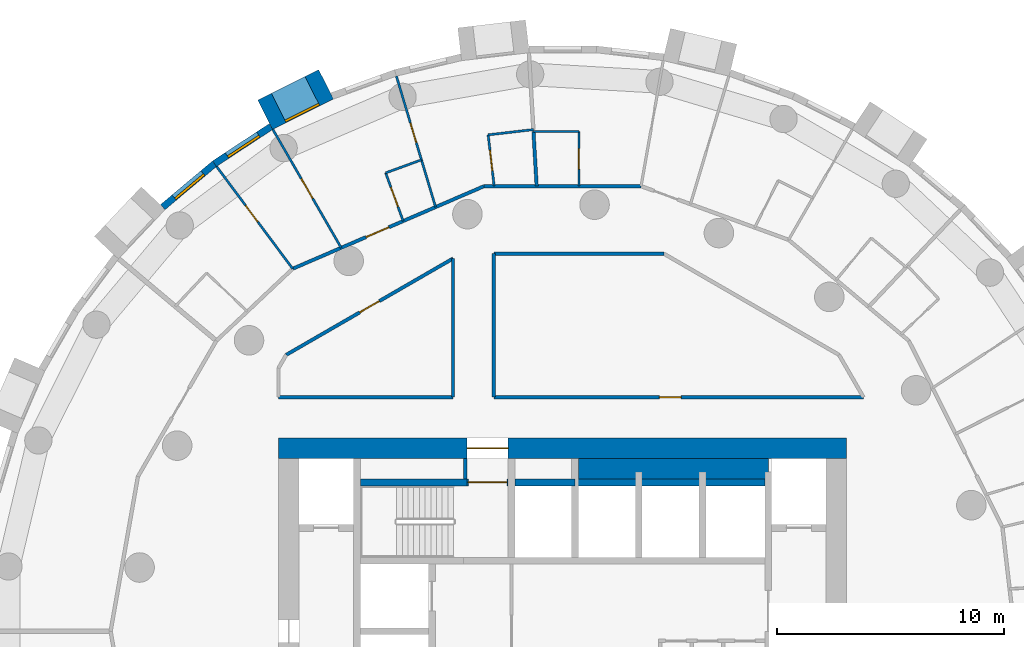
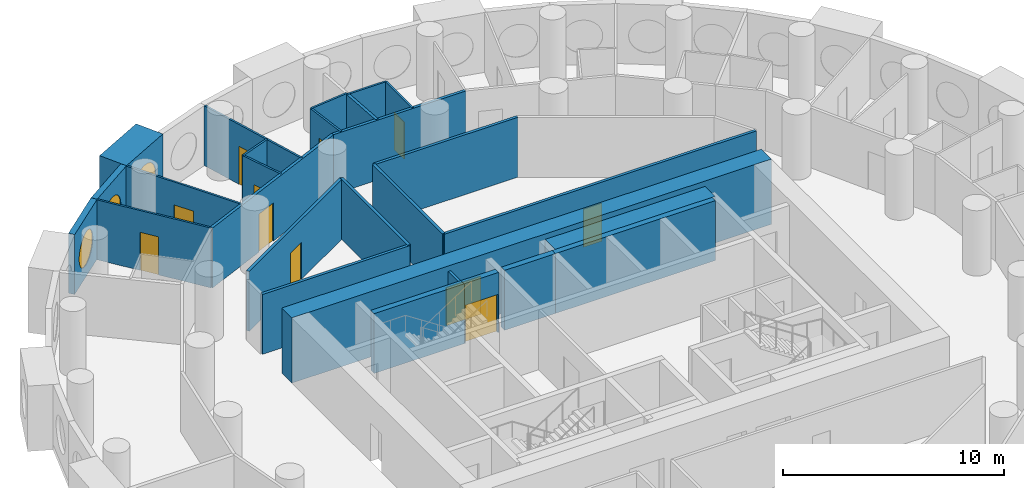
# One storey, part 6 of 10: 29 walls, 11 doors, 3 windows, 14 openings.
"""IFC4 building model written with IfcOpenShell, lengths in metres."""

import ifcopenshell
import ifcopenshell.guid

model = None  # the IFC model being written
_history = None  # IfcOwnerHistory: only IFC2X3 demands one
_inside = {}  # id of a spatial element -> (the spatial element, [elements in it])
_under = {}  # id of a project, library or spatial element -> (it, [spatial elements below it])
_declared = {}  # id of a project -> (the project, [libraries it declares])
_typed = {}  # id of a type object -> (the type object, [elements of that type])
_made_of = {}  # id of a material, layer set ... -> (it, [elements and type objects made of it])


def new_model(schema):
    """Start an empty IFC model of exactly this schema.

    Asked for "IFC4X3", IfcOpenShell would pick the latest addendum, in which some entities
    have other attributes; the version numbers below select the first issue.
    IFC2X3 requires an IfcOwnerHistory on every rooted entity: one is made here for all.
    """
    global model, _history
    if schema == "IFC4X3":
        model = ifcopenshell.file(schema_version=(4, 3, 0, 0))
    else:
        model = ifcopenshell.file(schema=schema)
    _inside.clear()
    _under.clear()
    _declared.clear()
    _typed.clear()
    _made_of.clear()
    _history = None
    if model.schema == "IFC2X3":
        org = make("IfcOrganization", Name="unknown")
        user = make(
            "IfcPersonAndOrganization",
            ThePerson=make("IfcPerson", FamilyName="unknown"),
            TheOrganization=org,
        )
        app = make(
            "IfcApplication",
            ApplicationDeveloper=org,
            Version="unknown",
            ApplicationFullName="unknown",
            ApplicationIdentifier="unknown",
        )
        _history = make(
            "IfcOwnerHistory",
            OwningUser=user,
            OwningApplication=app,
            ChangeAction="ADDED",
            CreationDate=0,
        )
    return model


def make(cls, **values):
    """One entity of the class cls with the attributes given. An attribute that is None is left unset."""
    return model.create_entity(
        cls, **{name: value for name, value in values.items() if value is not None}
    )


def rooted(cls, **values):
    """An entity with a GlobalId (a new one), such as an element, a storey or a relation."""
    return make(cls, GlobalId=ifcopenshell.guid.new(), OwnerHistory=_history, **values)


def si_unit(unit_type, name, prefix=None):
    """IfcSIUnit, for example si_unit("LENGTHUNIT", "METRE", prefix="MILLI")."""
    return make("IfcSIUnit", UnitType=unit_type, Prefix=prefix, Name=name)


def assignment(units):
    """IfcUnitAssignment: the units of a project."""
    return None if units is None else make("IfcUnitAssignment", Units=units)


def point(xyz):
    """IfcCartesianPoint."""
    return None if xyz is None else make("IfcCartesianPoint", Coordinates=xyz)


def direction(xyz):
    """IfcDirection."""
    return None if xyz is None else make("IfcDirection", DirectionRatios=xyz)


def frame(location, z_axis=None, x_axis=None):
    """IfcAxis2Placement3D, a coordinate frame: its origin and axes. An axis left out is left unset."""
    return make(
        "IfcAxis2Placement3D",
        Location=point(location),
        Axis=direction(z_axis),
        RefDirection=direction(x_axis),
    )


def frame_2d(location, x_axis=None):
    """IfcAxis2Placement2D, a coordinate frame in the plane: its origin and x axis."""
    return make(
        "IfcAxis2Placement2D", Location=point(location), RefDirection=direction(x_axis)
    )


def origin():
    """The frame at (0, 0, 0) with its axes left unset."""
    return frame((0.0, 0.0, 0.0))


def origin_2d():
    """The frame at (0, 0) in the plane with its x axis left unset."""
    return frame_2d((0.0, 0.0))


def place(relative_to, where):
    """IfcLocalPlacement: puts the frame where relative to a parent placement (None: the world)."""
    return make(
        "IfcLocalPlacement", PlacementRelTo=relative_to, RelativePlacement=where
    )


def context(
    kind, dimensions, precision=None, world=None, true_north=None, identifier=None
):
    """IfcGeometricRepresentationContext, for example the 3D "Model" context."""
    return make(
        "IfcGeometricRepresentationContext",
        ContextIdentifier=identifier,
        ContextType=kind,
        CoordinateSpaceDimension=dimensions,
        Precision=precision,
        WorldCoordinateSystem=world,
        TrueNorth=true_north,
    )


def subcontext(parent, identifier, kind, view, scale=None):
    """IfcGeometricRepresentationSubContext, for example "Body" below "Model"."""
    return make(
        "IfcGeometricRepresentationSubContext",
        ContextIdentifier=identifier,
        ContextType=kind,
        ParentContext=parent,
        TargetScale=scale,
        TargetView=view,
    )


def project(units=None, contexts=None):
    """IfcProject with its units and contexts."""
    return rooted(
        "IfcProject",
        Name="project",
        RepresentationContexts=contexts,
        UnitsInContext=assignment(units),
    )


def spatial(cls, under=None, at=None, **own):
    """A site, building, storey or space (cls), placed at a placement, below another one or the project."""
    s = rooted(cls, ObjectPlacement=at, **own)
    if under is not None:
        _under.setdefault(under.id(), (under, []))[1].append(s)
    return s


def profile(cls, at=None, kind="AREA", **sizes):
    """A parametric profile (cls). Its sizes go by their IFC names, for example OverallWidth=200.0."""
    return make(cls, ProfileType=kind, Position=at, **sizes)


def rectangle(**sizes):
    """IfcRectangleProfileDef."""
    return profile("IfcRectangleProfileDef", **sizes)


def circle(**sizes):
    """IfcCircleProfileDef."""
    return profile("IfcCircleProfileDef", **sizes)


def extrude(swept, where, along, depth):
    """IfcExtrudedAreaSolid: the profile swept, set in the frame where, extruded along a direction by depth."""
    return make(
        "IfcExtrudedAreaSolid",
        SweptArea=swept,
        Position=where,
        ExtrudedDirection=direction(along),
        Depth=depth,
    )


def shape(context_of_items, identifier, shape_type, items):
    """IfcShapeRepresentation: the items that make up one representation, for example the "Body"."""
    return make(
        "IfcShapeRepresentation",
        ContextOfItems=context_of_items,
        RepresentationIdentifier=identifier,
        RepresentationType=shape_type,
        Items=items,
    )


def material(Name=None, Category=None):
    """IfcMaterial."""
    return make("IfcMaterial", Name=Name, Category=Category)


def layer(
    of_material, thickness, ventilated=None, Name=None, Category=None, Priority=None
):
    """IfcMaterialLayer: one layer of a wall or slab, of a material (None: an air gap)."""
    return make(
        "IfcMaterialLayer",
        Material=of_material,
        LayerThickness=thickness,
        IsVentilated=ventilated,
        Name=Name,
        Category=Category,
        Priority=Priority,
    )


def layer_set(layers, Name=None):
    """IfcMaterialLayerSet."""
    return make("IfcMaterialLayerSet", MaterialLayers=layers, LayerSetName=Name)


def made_of(thing, what):
    """Note that an element or type object is made of a material, layer set ...; save() writes the relation."""
    if what is not None:
        _made_of.setdefault(what.id(), (what, []))[1].append(thing)
    return thing


def type_object(cls, material=None, **own):
    """A type object (cls), such as IfcWallType, which elements share."""
    return made_of(rooted(cls, **own), material)


def element(
    cls,
    number,
    at=None,
    inside=None,
    cuts=None,
    type_object=None,
    material=None,
    context=None,
    identifier="Body",
    shape_type=None,
    held_by="IfcProductDefinitionShape",
    body=None,
    shapes=None,
    **own,
):
    """One element of the class cls, such as IfcWall. Its Tag is "e" and its number.

    at: its placement. inside: the storey or other place that contains it. cuts: it is an
    opening in that element (IfcRelVoidsElement). A single representation is given by context,
    identifier, shape_type and body (its items); several are given by shapes. held_by: the class
    of the entity that holds the representations. save() writes the other relations.
    """
    e = rooted(cls, Tag="e%d" % number, ObjectPlacement=at, **own)
    if body is not None:
        shapes = [shape(context, identifier, shape_type, body)]
    if shapes is not None:
        e.Representation = make(held_by, Representations=shapes)
    if inside is not None:
        _inside.setdefault(inside.id(), (inside, []))[1].append(e)
    if cuts is not None:
        rooted(
            "IfcRelVoidsElement", RelatingBuildingElement=cuts, RelatedOpeningElement=e
        )
    if type_object is not None:
        _typed.setdefault(type_object.id(), (type_object, []))[1].append(e)
    return made_of(e, material)


def fill(opening, filler):
    """IfcRelFillsElement: the door or window that sits in an opening."""
    return rooted(
        "IfcRelFillsElement",
        RelatingOpeningElement=opening,
        RelatedBuildingElement=filler,
    )


def aggregate(whole, parts):
    """IfcRelAggregates: a whole, such as a stair, and the parts it consists of."""
    return rooted("IfcRelAggregates", RelatingObject=whole, RelatedObjects=parts)


def save(model, path):
    """Write the relations noted so far, then the file.

    IfcRelAggregates (storeys below a building ...), IfcRelContainedInSpatialStructure (elements
    in a storey), IfcRelDefinesByType, IfcRelAssociatesMaterial and IfcRelDeclares: one each for
    every whole, place, type object, material and project.
    """
    for whole, parts in _under.values():
        aggregate(whole, parts)
    for where, things in _inside.values():
        rooted(
            "IfcRelContainedInSpatialStructure",
            RelatedElements=things,
            RelatingStructure=where,
        )
    for kind, things in _typed.values():
        rooted("IfcRelDefinesByType", RelatedObjects=things, RelatingType=kind)
    for what, things in _made_of.values():
        rooted("IfcRelAssociatesMaterial", RelatedObjects=things, RelatingMaterial=what)
    for by, libraries in _declared.values():
        rooted("IfcRelDeclares", RelatingContext=by, RelatedDefinitions=libraries)
    model.write(path)


model = new_model("IFC4")

# Units and contexts
model_context = context("Model", 3, precision=1e-05, world=origin(), true_north=direction((0.0, 1.0)))
body_context = subcontext(model_context, "Body", "Model", "MODEL_VIEW")
ifc_project = project(units=[si_unit("LENGTHUNIT", "METRE"), si_unit("AREAUNIT", "SQUARE_METRE"), si_unit("VOLUMEUNIT", "CUBIC_METRE"), si_unit("PLANEANGLEUNIT", "RADIAN"), si_unit("MASSUNIT", "GRAM", prefix="KILO")], contexts=[model_context])

# Site, building, storey
site_placement = place(None, origin())
site = spatial("IfcSite", under=ifc_project, at=site_placement, CompositionType="ELEMENT")
building_placement = place(site_placement, origin())
building = spatial("IfcBuilding", under=site, at=building_placement, Name="Tracery Tower", CompositionType="ELEMENT")
storey_placement = place(building_placement, frame((0.0, 0.0, 133.199951171875)))
storey = spatial("IfcBuildingStorey", under=building, at=storey_placement, Name="L33", CompositionType="ELEMENT", Elevation=133.199951171875)

# Walls
ifc_material_1 = material(Name="Plasterboard on steel studs", Category="steel")
ifc_layer_1 = layer(ifc_material_1, 0.14990234375)
ifc_layer_set_1 = layer_set([ifc_layer_1], Name="Core room partition 150")
wall_type_1 = type_object("IfcWallType", Name="Core room partition 150", PredefinedType="SOLIDWALL", material=ifc_layer_set_1)
wall_1_placement = place(storey_placement, frame((-4.27490234375, 6.699951171875, 0.0), z_axis=(0.0, 0.0, 1.0), x_axis=(0.0, 1.0, 0.0)))
element("IfcWall", 1, at=wall_1_placement, inside=storey, type_object=wall_type_1, Name="L33 F N room", PredefinedType="SOLIDWALL", context=body_context, shape_type="SweptSolid", body=[
    extrude(rectangle(XDim=0.900146484375, YDim=0.14990234375, at=frame_2d((0.4501953125, 0.0))), origin(), (0.0, 0.0, 1.0), 3.300048828125),
])
ifc_material_2 = material(Name="Concrete C50/60", Category="concrete")
ifc_layer_2 = layer(ifc_material_2, 0.89990234375)
ifc_layer_set_2 = layer_set([ifc_layer_2], Name="Core strip wall 900 C50")
wall_type_2 = type_object("IfcWallType", Name="Core strip wall 900 C50", PredefinedType="SOLIDWALL", material=ifc_layer_set_2)
wall_2_placement = place(storey_placement, frame((0.699951171875, 7.14990234375, 0.0), z_axis=(0.0, 0.0, 1.0), x_axis=(1.0, 0.0, 0.0)))
element("IfcWall", 2, at=wall_2_placement, inside=storey, type_object=wall_type_2, Name="L33 F thick N E", PredefinedType="SOLIDWALL", context=body_context, shape_type="SweptSolid", body=[
    extrude(rectangle(XDim=8.35009765625, YDim=0.89990234375, at=frame_2d((4.175048828125, 0.0))), origin(), (0.0, 0.0, 1.0), 3.300048828125),
])

# Wall, opening, door
ifc_material_3 = material(Name="Concrete C50/60", Category="concrete")
ifc_layer_3 = layer(ifc_material_3, 0.89990234375)
ifc_layer_set_3 = layer_set([ifc_layer_3], Name="Core wall 900 C50")
wall_type_3 = type_object("IfcWallType", Name="Core wall 900 C50", PredefinedType="SOLIDWALL", material=ifc_layer_set_3)
wall_3_placement = place(storey_placement, frame((-12.5, 8.050048828125, 0.0), z_axis=(0.0, 0.0, 1.0), x_axis=(1.0, 0.0, 0.0)))
wall_3 = element("IfcWall", 3, at=wall_3_placement, inside=storey, type_object=wall_type_3, Name="L33 outer N", PredefinedType="SOLIDWALL", context=body_context, shape_type="SweptSolid", body=[
    extrude(rectangle(XDim=25.0, YDim=0.89990234375, at=frame_2d((12.5, 0.0))), origin(), (0.0, 0.0, 1.0), 3.60009765625),
])
opening_1_placement = place(wall_3_placement, frame((8.300048828125, 0.0, 0.0)))
opening_1 = element("IfcOpeningElement", 4, at=opening_1_placement, cuts=wall_3, Name="Opening KD13", PredefinedType="OPENING", context=body_context, shape_type="SweptSolid", body=[
    extrude(rectangle(XDim=1.800048828125, YDim=2.10009765625, at=frame_2d((0.89990234375, 1.050048828125))), frame((0.0, 0.449951171875, 0.0), z_axis=(0.0, -1.0, 0.0), x_axis=(1.0, 0.0, 0.0)), (0.0, 0.0, 1.0), 0.89990234375),
])
ifc_material_4 = material(Name="Steel fire door", Category="steel")
door_type_1 = type_object("IfcDoorType", Name="Core exit door 1800 double", OperationType="NOTDEFINED", PredefinedType="DOOR", material=ifc_material_4)
door_1_placement = place(opening_1_placement, origin())
door_1 = element("IfcDoor", 5, at=door_1_placement, inside=storey, type_object=door_type_1, Name="Core exit door", OperationType="DOUBLE_DOOR_SINGLE_SWING", OverallHeight=2.10009765625, OverallWidth=1.800048828125, PredefinedType="DOOR", context=body_context, shape_type="SweptSolid", body=[
    extrude(rectangle(XDim=1.800048828125, YDim=2.10009765625, at=frame_2d((0.89990234375, 1.050048828125))), frame((0.0, 0.02490234375, 0.0), z_axis=(0.0, -1.0, 0.0), x_axis=(1.0, 0.0, 0.0)), (0.0, 0.0, 1.0), 0.050048828125),
])
fill(opening_1, door_1)

# Wall, opening, window
ifc_material_5 = material(Name="Precast concrete C50/60", Category="concrete")
ifc_layer_4 = layer(ifc_material_5, 1.449951171875)
ifc_layer_set_4 = layer_set([ifc_layer_4], Name="Deep-set bay unit 3000 x 3600, slab edge 300")
wall_type_4 = type_object("IfcWallType", Name="Deep-set bay unit 3000 x 3600, slab edge 300", PredefinedType="ELEMENTEDWALL", material=ifc_layer_set_4)
wall_4_placement = place(storey_placement, frame((-10.40869140625, 24.067626953125, -0.300048828125), z_axis=(0.0, 0.0, 1.0), x_axis=(-0.893628249713, -0.448807922518, 0.0)))
wall_4 = element("IfcWall", 6, at=wall_4_placement, inside=storey, type_object=wall_type_4, Name="Deep-set bay unit 18 at L33", PredefinedType="ELEMENTEDWALL", context=body_context, shape_type="SweptSolid", body=[
    extrude(rectangle(XDim=3.0, YDim=1.449951171875, at=frame_2d((1.5, 0.0))), origin(), (0.0, 0.0, 1.0), 3.60009765625),
])
opening_2_placement = place(wall_4_placement, frame((1.5, 0.0, 1.85009765625)))
opening_2 = element("IfcOpeningElement", 7, at=opening_2_placement, cuts=wall_4, Name="Opening WN1", PredefinedType="OPENING", context=body_context, shape_type="SweptSolid", body=[
    extrude(circle(Radius=0.9000244140625, at=origin_2d()), frame((0.0, 0.73486328125, 0.0), z_axis=(0.0, -1.0, 0.0), x_axis=(1.0, 0.0, 0.0)), (0.0, 0.0, 1.0), 1.469970703125),
])
ifc_material_6 = material(Name="Aluminium frame with tinted double glazing", Category="aluminium")
window_type = type_object("IfcWindowType", Name="Round window 1800", PartitioningType="SINGLE_PANEL", PredefinedType="WINDOW", material=ifc_material_6)
window_1_placement = place(opening_2_placement, origin())
window_1 = element("IfcWindow", 8, at=window_1_placement, inside=storey, type_object=window_type, Name="Round window 18 at L33", OverallHeight=1.800048828125, OverallWidth=1.800048828125, PartitioningType="SINGLE_PANEL", PredefinedType="WINDOW", context=body_context, shape_type="SweptSolid", body=[
    extrude(circle(Radius=0.9000244140625, at=origin_2d()), frame((0.0, 0.69482421875, 0.0), z_axis=(0.0, -1.0, 0.0), x_axis=(1.0, 0.0, 0.0)), (0.0, 0.0, 1.0), 0.10009765625),
])
fill(opening_2, window_1)

ifc_material_7 = material(Name="Precast concrete C50/60", Category="concrete")
ifc_layer_5 = layer(ifc_material_7, 0.300048828125)
ifc_layer_set_5 = layer_set([ifc_layer_5], Name="Facade panel 3000 x 3300")
wall_type_5 = type_object("IfcWallType", Name="Facade panel 3000 x 3300", PredefinedType="SOLIDWALL", material=ifc_layer_set_5)
wall_5_placement = place(storey_placement, frame((-12.831787109375, 22.2060546875, 0.0), z_axis=(0.0, 0.0, 1.0), x_axis=(-0.835508361394, -0.54947773207, 0.0)))
wall_5 = element("IfcWall", 9, at=wall_5_placement, inside=storey, type_object=wall_type_5, Name="Facade panel 19 at L33", PredefinedType="SOLIDWALL", context=body_context, shape_type="SweptSolid", body=[
    extrude(rectangle(XDim=2.972900390625, YDim=0.300048828125, at=frame_2d((1.486328125, 0.0))), origin(), (0.0, 0.0, 1.0), 3.300048828125),
])
opening_3_placement = place(wall_5_placement, frame((1.486328125, 0.0, 1.5498046875)))
opening_3 = element("IfcOpeningElement", 10, at=opening_3_placement, cuts=wall_5, Name="Opening WN1", PredefinedType="OPENING", context=body_context, shape_type="SweptSolid", body=[
    extrude(circle(Radius=0.9000244140625, at=origin_2d()), frame((0.0, 0.159912109375, 0.0), z_axis=(0.0, -1.0, 0.0), x_axis=(1.0, 0.0, 0.0)), (0.0, 0.0, 1.0), 0.320068359375),
])
window_2_placement = place(opening_3_placement, origin())
window_2 = element("IfcWindow", 11, at=window_2_placement, inside=storey, type_object=window_type, Name="Round window 19 at L33", OverallHeight=1.800048828125, OverallWidth=1.800048828125, PartitioningType="SINGLE_PANEL", PredefinedType="WINDOW", context=body_context, shape_type="SweptSolid", body=[
    extrude(circle(Radius=0.9000244140625, at=origin_2d()), frame((0.0, 0.1201171875, 0.0), z_axis=(0.0, -1.0, 0.0), x_axis=(1.0, 0.0, 0.0)), (0.0, 0.0, 1.0), 0.10009765625),
])
fill(opening_3, window_2)

wall_6_placement = place(storey_placement, frame((-15.315673828125, 20.572509765625, 0.0), z_axis=(0.0, 0.0, 1.0), x_axis=(-0.766008913364, -0.642829950023, 0.0)))
wall_6 = element("IfcWall", 12, at=wall_6_placement, inside=storey, type_object=wall_type_5, Name="Facade panel 20 at L33", PredefinedType="SOLIDWALL", context=body_context, shape_type="SweptSolid", body=[
    extrude(rectangle(XDim=2.972900390625, YDim=0.300048828125, at=frame_2d((1.486328125, 0.0))), origin(), (0.0, 0.0, 1.0), 3.300048828125),
])
opening_4_placement = place(wall_6_placement, frame((1.486328125, 0.0, 1.5498046875)))
opening_4 = element("IfcOpeningElement", 13, at=opening_4_placement, cuts=wall_6, Name="Opening WN1", PredefinedType="OPENING", context=body_context, shape_type="SweptSolid", body=[
    extrude(circle(Radius=0.9000244140625, at=origin_2d()), frame((0.0, 0.159912109375, 0.0), z_axis=(0.0, -1.0, 0.0), x_axis=(1.0, 0.0, 0.0)), (0.0, 0.0, 1.0), 0.320068359375),
])
window_3_placement = place(opening_4_placement, origin())
window_3 = element("IfcWindow", 14, at=window_3_placement, inside=storey, type_object=window_type, Name="Round window 20 at L33", OverallHeight=1.800048828125, OverallWidth=1.800048828125, PartitioningType="SINGLE_PANEL", PredefinedType="WINDOW", context=body_context, shape_type="SweptSolid", body=[
    extrude(circle(Radius=0.9000244140625, at=origin_2d()), frame((0.0, 0.1201171875, 0.0), z_axis=(0.0, -1.0, 0.0), x_axis=(1.0, 0.0, 0.0)), (0.0, 0.0, 1.0), 0.10009765625),
])
fill(opening_4, window_3)

# Wall, opening, door
ifc_material_8 = material(Name="Plasterboard on steel studs", Category="steel")
ifc_layer_6 = layer(ifc_material_8, 0.10009765625)
ifc_layer_set_6 = layer_set([ifc_layer_6], Name="Partition 100 stud")
wall_type_6 = type_object("IfcWallType", Name="Partition 100 stud", PredefinedType="PARTITIONING", material=ifc_layer_set_6)
wall_7_placement = place(storey_placement, frame((-12.7490234375, 22.0810546875, 0.0), z_axis=(0.0, 0.0, 1.0), x_axis=(0.50002935287, -0.866008456234, 0.0)))
wall_7 = element("IfcWall", 15, at=wall_7_placement, inside=storey, type_object=wall_type_6, Name="Stud partition RB1-065", PredefinedType="PARTITIONING", context=body_context, shape_type="SweptSolid", body=[
    extrude(rectangle(XDim=6.013916015625, YDim=0.10009765625, at=frame_2d((3.0068359375, 0.0))), origin(), (0.0, 0.0, 1.0), 3.300048828125),
])
opening_5_placement = place(wall_7_placement, frame((2.5068359375, 0.0, 0.0)))
opening_5 = element("IfcOpeningElement", 16, at=opening_5_placement, cuts=wall_7, Name="Opening RB1-20", PredefinedType="OPENING", context=body_context, shape_type="SweptSolid", body=[
    extrude(rectangle(XDim=1.0, YDim=2.0400390625, at=frame_2d((0.5, 1.02001953125))), frame((0.0, 0.050048828125, 0.0), z_axis=(0.0, -1.0, 0.0), x_axis=(1.0, 0.0, 0.0)), (0.0, 0.0, 1.0), 0.10009765625),
])
ifc_material_9 = material(Name="Timber door leaf", Category="wood")
door_type_2 = type_object("IfcDoorType", Name="Door communal room 1000", OperationType="NOTDEFINED", PredefinedType="DOOR", material=ifc_material_9)
door_2_placement = place(opening_5_placement, origin())
door_2 = element("IfcDoor", 17, at=door_2_placement, inside=storey, type_object=door_type_2, Name="Communal room door RB1-20", OperationType="SINGLE_SWING_RIGHT", OverallHeight=2.0400390625, OverallWidth=1.0, PredefinedType="DOOR", context=body_context, shape_type="SweptSolid", body=[
    extrude(rectangle(XDim=1.0, YDim=2.0400390625, at=frame_2d((0.5, 1.02001953125))), frame((0.0, 0.02490234375, 0.0), z_axis=(0.0, -1.0, 0.0), x_axis=(1.0, 0.0, 0.0)), (0.0, 0.0, 1.0), 0.050048828125),
])
fill(opening_5, door_2)

wall_8_placement = place(storey_placement, frame((-7.31298828125, 24.426025390625, 0.0), z_axis=(0.0, 0.0, 1.0), x_axis=(0.286823657337, -0.957983397347, 0.0)))
wall_8 = element("IfcWall", 18, at=wall_8_placement, inside=storey, type_object=wall_type_6, Name="Stud partition RB1-068", PredefinedType="PARTITIONING", context=body_context, shape_type="SweptSolid", body=[
    extrude(rectangle(XDim=3.845703125, YDim=0.10009765625, at=frame_2d((1.9228515625, 0.0))), origin(), (0.0, 0.0, 1.0), 3.300048828125),
])
opening_6_placement = place(wall_8_placement, frame((2.14990234375, 0.0, 0.0)))
opening_6 = element("IfcOpeningElement", 19, at=opening_6_placement, cuts=wall_8, Name="Opening RB1-22", PredefinedType="OPENING", context=body_context, shape_type="SweptSolid", body=[
    extrude(rectangle(XDim=0.89990234375, YDim=2.10009765625, at=frame_2d((0.449951171875, 1.050048828125))), frame((0.0, 0.050048828125, 0.0), z_axis=(0.0, -1.0, 0.0), x_axis=(1.0, 0.0, 0.0)), (0.0, 0.0, 1.0), 0.10009765625),
])
ifc_material_10 = material(Name="Timber door leaf", Category="wood")
door_type_3 = type_object("IfcDoorType", Name="Door bedroom 900", OperationType="NOTDEFINED", PredefinedType="DOOR", material=ifc_material_10)
door_3_placement = place(opening_6_placement, origin())
door_3 = element("IfcDoor", 20, at=door_3_placement, inside=storey, type_object=door_type_3, Name="Bedroom door RB1-22", OperationType="SINGLE_SWING_RIGHT", OverallHeight=2.10009765625, OverallWidth=0.89990234375, PredefinedType="DOOR", context=body_context, shape_type="SweptSolid", body=[
    extrude(rectangle(XDim=0.89990234375, YDim=2.10009765625, at=frame_2d((0.449951171875, 1.050048828125))), frame((0.0, 0.02490234375, 0.0), z_axis=(0.0, -1.0, 0.0), x_axis=(1.0, 0.0, 0.0)), (0.0, 0.0, 1.0), 0.050048828125),
])
fill(opening_6, door_3)

wall_9_placement = place(storey_placement, frame((-15.22607421875, 20.451904296875, 0.0), z_axis=(0.0, 0.0, 1.0), x_axis=(0.597155355437, -0.802125602056, 0.0)))
wall_9 = element("IfcWall", 21, at=wall_9_placement, inside=storey, type_object=wall_type_6, Name="Stud partition RB1-069", PredefinedType="PARTITIONING", context=body_context, shape_type="SweptSolid", body=[
    extrude(rectangle(XDim=5.610107421875, YDim=0.10009765625, at=frame_2d((2.80517578125, 0.0))), origin(), (0.0, 0.0, 1.0), 3.300048828125),
])
opening_7_placement = place(wall_9_placement, frame((2.138916015625, 0.0, 0.0)))
opening_7 = element("IfcOpeningElement", 22, at=opening_7_placement, cuts=wall_9, Name="Opening RB1-24", PredefinedType="OPENING", context=body_context, shape_type="SweptSolid", body=[
    extrude(rectangle(XDim=0.89990234375, YDim=2.10009765625, at=frame_2d((0.449951171875, 1.050048828125))), frame((0.0, 0.050048828125, 0.0), z_axis=(0.0, -1.0, 0.0), x_axis=(1.0, 0.0, 0.0)), (0.0, 0.0, 1.0), 0.10009765625),
])
door_4_placement = place(opening_7_placement, origin())
door_4 = element("IfcDoor", 23, at=door_4_placement, inside=storey, type_object=door_type_3, Name="Bedroom door RB1-24", OperationType="SINGLE_SWING_RIGHT", OverallHeight=2.10009765625, OverallWidth=0.89990234375, PredefinedType="DOOR", context=body_context, shape_type="SweptSolid", body=[
    extrude(rectangle(XDim=0.89990234375, YDim=2.10009765625, at=frame_2d((0.449951171875, 1.050048828125))), frame((0.0, 0.02490234375, 0.0), z_axis=(0.0, -1.0, 0.0), x_axis=(1.0, 0.0, 0.0)), (0.0, 0.0, 1.0), 0.050048828125),
])
fill(opening_7, door_4)

ifc_material_11 = material(Name="Plasterboard on steel studs", Category="steel")
ifc_layer_7 = layer(ifc_material_11, 0.10009765625)
ifc_layer_set_7 = layer_set([ifc_layer_7], Name="Partition 100 wet wall")
wall_type_7 = type_object("IfcWallType", Name="Partition 100 wet wall", PredefinedType="PARTITIONING", material=ifc_layer_set_7)
wall_10_placement = place(storey_placement, frame((0.717041015625, 19.5859375, 0.0), z_axis=(0.0, 0.0, 1.0), x_axis=(0.0, 1.0, 0.0)))
wall_10 = element("IfcWall", 24, at=wall_10_placement, inside=storey, type_object=wall_type_7, Name="Wet wall RB1-061", PredefinedType="PARTITIONING", context=body_context, shape_type="SweptSolid", body=[
    extrude(rectangle(XDim=2.400146484375, YDim=0.10009765625, at=frame_2d((1.2001953125, 0.0))), origin(), (0.0, 0.0, 1.0), 3.300048828125),
])
opening_8_placement = place(wall_10_placement, frame((0.75, 0.0, 0.0)))
opening_8 = element("IfcOpeningElement", 25, at=opening_8_placement, cuts=wall_10, Name="Opening RB1-18", PredefinedType="OPENING", context=body_context, shape_type="SweptSolid", body=[
    extrude(rectangle(XDim=0.89990234375, YDim=2.0400390625, at=frame_2d((0.449951171875, 1.02001953125))), frame((0.0, 0.050048828125, 0.0), z_axis=(0.0, -1.0, 0.0), x_axis=(1.0, 0.0, 0.0)), (0.0, 0.0, 1.0), 0.10009765625),
])
ifc_material_12 = material(Name="Timber door leaf", Category="wood")
door_type_4 = type_object("IfcDoorType", Name="Door en-suite 900", OperationType="NOTDEFINED", PredefinedType="DOOR", material=ifc_material_12)
door_5_placement = place(opening_8_placement, origin())
door_5 = element("IfcDoor", 26, at=door_5_placement, inside=storey, type_object=door_type_4, Name="En-suite door RB1-18", OperationType="SINGLE_SWING_LEFT", OverallHeight=2.0400390625, OverallWidth=0.89990234375, PredefinedType="DOOR", context=body_context, shape_type="SweptSolid", body=[
    extrude(rectangle(XDim=0.89990234375, YDim=2.0400390625, at=frame_2d((0.449951171875, 1.02001953125))), frame((0.0, 0.02490234375, 0.0), z_axis=(0.0, -1.0, 0.0), x_axis=(1.0, 0.0, 0.0)), (0.0, 0.0, 1.0), 0.050048828125),
])
fill(opening_8, door_5)

# Walls
wall_11_placement = place(storey_placement, frame((-1.281005859375, 21.986083984375, 0.0), z_axis=(0.0, 0.0, 1.0), x_axis=(1.0, 0.0, 0.0)))
element("IfcWall", 27, at=wall_11_placement, inside=storey, type_object=wall_type_7, Name="Wet wall RB1-062", PredefinedType="PARTITIONING", context=body_context, shape_type="SweptSolid", body=[
    extrude(rectangle(XDim=1.998046875, YDim=0.10009765625, at=frame_2d((0.9990234375, 0.0))), origin(), (0.0, 0.0, 1.0), 3.300048828125),
])
wall_12_placement = place(storey_placement, frame((-7.784912109375, 20.1689453125, 0.0), z_axis=(0.0, 0.0, 1.0), x_axis=(0.939738119152, 0.341895111711, 0.0)))
element("IfcWall", 28, at=wall_12_placement, inside=storey, type_object=wall_type_7, Name="Wet wall RB1-066", PredefinedType="PARTITIONING", context=body_context, shape_type="SweptSolid", body=[
    extrude(rectangle(XDim=1.676025390625, YDim=0.10009765625, at=frame_2d((0.837890625, 0.0))), origin(), (0.0, 0.0, 1.0), 3.300048828125),
])

# Wall, opening, door
wall_13_placement = place(storey_placement, frame((-7.784912109375, 20.1689453125, 0.0), z_axis=(0.0, 0.0, 1.0), x_axis=(0.341934316543, -0.939723854742, 0.0)))
wall_13 = element("IfcWall", 29, at=wall_13_placement, inside=storey, type_object=wall_type_7, Name="Wet wall RB1-067", PredefinedType="PARTITIONING", context=body_context, shape_type="SweptSolid", body=[
    extrude(rectangle(XDim=2.2548828125, YDim=0.10009765625, at=frame_2d((1.12744140625, 0.0))), origin(), (0.0, 0.0, 1.0), 3.300048828125),
])
opening_9_placement = place(wall_13_placement, frame((0.677001953125, 0.0, 0.0)))
opening_9 = element("IfcOpeningElement", 30, at=opening_9_placement, cuts=wall_13, Name="Opening RB1-21", PredefinedType="OPENING", context=body_context, shape_type="SweptSolid", body=[
    extrude(rectangle(XDim=0.89990234375, YDim=2.0, at=frame_2d((0.449951171875, 1.0))), frame((0.0, 0.050048828125, 0.0), z_axis=(0.0, -1.0, 0.0), x_axis=(1.0, 0.0, 0.0)), (0.0, 0.0, 1.0), 0.10009765625),
])
ifc_material_13 = material(Name="Timber door leaf", Category="wood")
door_type_5 = type_object("IfcDoorType", Name="Door shower room 900", OperationType="NOTDEFINED", PredefinedType="DOOR", material=ifc_material_13)
door_6_placement = place(opening_9_placement, origin())
door_6 = element("IfcDoor", 31, at=door_6_placement, inside=storey, type_object=door_type_5, Name="Shower room door RB1-21", OperationType="SINGLE_SWING_LEFT", OverallHeight=2.0, OverallWidth=0.89990234375, PredefinedType="DOOR", context=body_context, shape_type="SweptSolid", body=[
    extrude(rectangle(XDim=0.89990234375, YDim=2.0, at=frame_2d((0.449951171875, 1.0))), frame((0.0, 0.02490234375, 0.0), z_axis=(0.0, -1.0, 0.0), x_axis=(1.0, 0.0, 0.0)), (0.0, 0.0, 1.0), 0.050048828125),
])
fill(opening_9, door_6)

# Walls
wall_14_placement = place(storey_placement, frame((-6.2099609375, 20.741943359375, 0.0), z_axis=(0.0, 0.0, 1.0), x_axis=(0.286924287417, -0.957953262581, 0.0)))
element("IfcWall", 32, at=wall_14_placement, inside=storey, type_object=wall_type_7, Name="Wet wall RB1-070", PredefinedType="PARTITIONING", context=body_context, shape_type="SweptSolid", body=[
    extrude(rectangle(XDim=2.16796875, YDim=0.10009765625, at=frame_2d((1.083984375, 0.0))), origin(), (0.0, 0.0, 1.0), 3.300048828125),
])
wall_15_placement = place(storey_placement, frame((-3.27490234375, 21.842041015625, 0.0), z_axis=(0.0, 0.0, 1.0), x_axis=(0.993269919916, 0.115822563388, 0.0)))
element("IfcWall", 33, at=wall_15_placement, inside=storey, type_object=wall_type_7, Name="Wet wall RB1-071", PredefinedType="PARTITIONING", context=body_context, shape_type="SweptSolid", body=[
    extrude(rectangle(XDim=2.00244140625, YDim=0.10009765625, at=frame_2d((1.001220703125, 0.0))), origin(), (0.0, 0.0, 1.0), 3.300048828125),
])

# Wall, opening, door
wall_16_placement = place(storey_placement, frame((-3.27490234375, 21.842041015625, 0.0), z_axis=(0.0, 0.0, 1.0), x_axis=(0.115762284594, -0.993276947012, 0.0)))
wall_16 = element("IfcWall", 34, at=wall_16_placement, inside=storey, type_object=wall_type_7, Name="Wet wall RB1-072", PredefinedType="PARTITIONING", context=body_context, shape_type="SweptSolid", body=[
    extrude(rectangle(XDim=2.271484375, YDim=0.10009765625, at=frame_2d((1.1357421875, 0.0))), origin(), (0.0, 0.0, 1.0), 3.300048828125),
])
opening_10_placement = place(wall_16_placement, frame((0.68603515625, 0.0, 0.0)))
opening_10 = element("IfcOpeningElement", 35, at=opening_10_placement, cuts=wall_16, Name="Opening RB1-23", PredefinedType="OPENING", context=body_context, shape_type="SweptSolid", body=[
    extrude(rectangle(XDim=0.89990234375, YDim=2.0400390625, at=frame_2d((0.449951171875, 1.02001953125))), frame((0.0, 0.050048828125, 0.0), z_axis=(0.0, -1.0, 0.0), x_axis=(1.0, 0.0, 0.0)), (0.0, 0.0, 1.0), 0.10009765625),
])
door_7_placement = place(opening_10_placement, origin())
door_7 = element("IfcDoor", 36, at=door_7_placement, inside=storey, type_object=door_type_4, Name="En-suite door RB1-23", OperationType="SINGLE_SWING_RIGHT", OverallHeight=2.0400390625, OverallWidth=0.89990234375, PredefinedType="DOOR", context=body_context, shape_type="SweptSolid", body=[
    extrude(rectangle(XDim=0.89990234375, YDim=2.0400390625, at=frame_2d((0.449951171875, 1.02001953125))), frame((0.0, 0.02490234375, 0.0), z_axis=(0.0, -1.0, 0.0), x_axis=(1.0, 0.0, 0.0)), (0.0, 0.0, 1.0), 0.050048828125),
])
fill(opening_10, door_7)

# Walls
ifc_material_14 = material(Name="Plasterboard on steel studs", Category="steel")
ifc_layer_8 = layer(ifc_material_14, 0.14990234375)
ifc_layer_set_8 = layer_set([ifc_layer_8], Name="Partition 150 acoustic unit wall")
wall_type_8 = type_object("IfcWallType", Name="Partition 150 acoustic unit wall", PredefinedType="PARTITIONING", material=ifc_layer_set_8)
wall_17_placement = place(storey_placement, frame((-1.281005859375, 21.986083984375, 0.0), z_axis=(0.0, 0.0, 1.0), x_axis=(0.058186267039, -0.998305743912, 0.0)))
element("IfcWall", 37, at=wall_17_placement, inside=storey, type_object=wall_type_8, Name="Unit wall RB1-064", PredefinedType="PARTITIONING", context=body_context, shape_type="SweptSolid", body=[
    extrude(rectangle(XDim=2.404296875, YDim=0.14990234375, at=frame_2d((1.2021484375, 0.0))), origin(), (0.0, 0.0, 1.0), 3.300048828125),
])
ifc_material_15 = material(Name="Plasterboard on steel studs", Category="steel")
ifc_layer_9 = layer(ifc_material_15, 0.14990234375)
ifc_layer_set_9 = layer_set([ifc_layer_9], Name="Partition 150 corridor wall")
wall_type_9 = type_object("IfcWallType", Name="Partition 150 corridor wall", PredefinedType="PARTITIONING", material=ifc_layer_set_9)
wall_18_placement = place(storey_placement, frame((-12.50390625, 10.300048828125, 0.0), z_axis=(0.0, 0.0, 1.0), x_axis=(1.0, 0.0, 0.0)))
element("IfcWall", 38, at=wall_18_placement, inside=storey, type_object=wall_type_9, Name="Corridor wall RB1-001", PredefinedType="PARTITIONING", context=body_context, shape_type="SweptSolid", body=[
    extrude(rectangle(XDim=7.68701171875, YDim=0.14990234375, at=frame_2d((3.843505859375, 0.0))), origin(), (0.0, 0.0, 1.0), 3.300048828125),
])

# Wall, opening, door
wall_19_placement = place(storey_placement, frame((-3.02490234375, 10.300048828125, 0.0), z_axis=(0.0, 0.0, 1.0), x_axis=(1.0, 0.0, 0.0)))
wall_19 = element("IfcWall", 39, at=wall_19_placement, inside=storey, type_object=wall_type_9, Name="Corridor wall RB1-002", PredefinedType="PARTITIONING", context=body_context, shape_type="SweptSolid", body=[
    extrude(rectangle(XDim=16.261962890625, YDim=0.14990234375, at=frame_2d((8.130859375, 0.0))), origin(), (0.0, 0.0, 1.0), 3.300048828125),
])
opening_11_placement = place(wall_19_placement, frame((7.2880859375, 0.0, 0.0)))
opening_11 = element("IfcOpeningElement", 40, at=opening_11_placement, cuts=wall_19, Name="Opening RB1-02", PredefinedType="OPENING", context=body_context, shape_type="SweptSolid", body=[
    extrude(rectangle(XDim=0.949951171875, YDim=2.10009765625, at=frame_2d((0.47509765625, 1.050048828125))), frame((0.0, 0.074951171875, 0.0), z_axis=(0.0, -1.0, 0.0), x_axis=(1.0, 0.0, 0.0)), (0.0, 0.0, 1.0), 0.14990234375),
])
ifc_material_16 = material(Name="Timber door leaf", Category="wood")
door_type_6 = type_object("IfcDoorType", Name="Door store 950", OperationType="NOTDEFINED", PredefinedType="DOOR", material=ifc_material_16)
door_8_placement = place(opening_11_placement, origin())
door_8 = element("IfcDoor", 41, at=door_8_placement, inside=storey, type_object=door_type_6, Name="Store door RB1-02", OperationType="SINGLE_SWING_RIGHT", OverallHeight=2.10009765625, OverallWidth=0.949951171875, PredefinedType="DOOR", context=body_context, shape_type="SweptSolid", body=[
    extrude(rectangle(XDim=0.949951171875, YDim=2.10009765625, at=frame_2d((0.47509765625, 1.050048828125))), frame((0.0, 0.02490234375, 0.0), z_axis=(0.0, -1.0, 0.0), x_axis=(1.0, 0.0, 0.0)), (0.0, 0.0, 1.0), 0.050048828125),
])
fill(opening_11, door_8)

# Wall
wall_20_placement = place(storey_placement, frame((-4.821044921875, 10.300048828125, 0.0), z_axis=(0.0, 0.0, 1.0), x_axis=(0.0, 1.0, 0.0)))
element("IfcWall", 42, at=wall_20_placement, inside=storey, type_object=wall_type_9, Name="Corridor wall RB1-013", PredefinedType="PARTITIONING", context=body_context, shape_type="SweptSolid", body=[
    extrude(rectangle(XDim=6.100830078125, YDim=0.14990234375, at=frame_2d((3.05029296875, 0.0))), origin(), (0.0, 0.0, 1.0), 3.300048828125),
])

# Wall, opening, door
wall_21_placement = place(storey_placement, frame((-12.162109375, 12.162109375, 0.0), z_axis=(0.0, 0.0, 1.0), x_axis=(0.866004766557, 0.500035743023, 0.0)))
wall_21 = element("IfcWall", 43, at=wall_21_placement, inside=storey, type_object=wall_type_9, Name="Corridor wall RB1-014", PredefinedType="PARTITIONING", context=body_context, shape_type="SweptSolid", body=[
    extrude(rectangle(XDim=8.47705078125, YDim=0.14990234375, at=frame_2d((4.238525390625, 0.0))), origin(), (0.0, 0.0, 1.0), 3.300048828125),
])
opening_12_placement = place(wall_21_placement, frame((3.739013671875, 0.0, 0.0)))
opening_12 = element("IfcOpeningElement", 44, at=opening_12_placement, cuts=wall_21, Name="Opening RB1-01", PredefinedType="OPENING", context=body_context, shape_type="SweptSolid", body=[
    extrude(rectangle(XDim=1.0, YDim=2.0400390625, at=frame_2d((0.5, 1.02001953125))), frame((0.0, 0.074951171875, 0.0), z_axis=(0.0, -1.0, 0.0), x_axis=(1.0, 0.0, 0.0)), (0.0, 0.0, 1.0), 0.14990234375),
])
door_9_placement = place(opening_12_placement, origin())
door_9 = element("IfcDoor", 45, at=door_9_placement, inside=storey, type_object=door_type_2, Name="Communal room door RB1-01", OperationType="SINGLE_SWING_LEFT", OverallHeight=2.0400390625, OverallWidth=1.0, PredefinedType="DOOR", context=body_context, shape_type="SweptSolid", body=[
    extrude(rectangle(XDim=1.0, YDim=2.0400390625, at=frame_2d((0.5, 1.02001953125))), frame((0.0, 0.02490234375, 0.0), z_axis=(0.0, -1.0, 0.0), x_axis=(1.0, 0.0, 0.0)), (0.0, 0.0, 1.0), 0.050048828125),
])
fill(opening_12, door_9)

# Walls
wall_22_placement = place(storey_placement, frame((-3.02099609375, 16.614013671875, 0.0), z_axis=(0.0, 0.0, 1.0), x_axis=(1.0, 0.0, 0.0)))
element("IfcWall", 46, at=wall_22_placement, inside=storey, type_object=wall_type_9, Name="Corridor wall RB1-016", PredefinedType="PARTITIONING", context=body_context, shape_type="SweptSolid", body=[
    extrude(rectangle(XDim=7.472900390625, YDim=0.14990234375, at=frame_2d((3.736328125, 0.0))), origin(), (0.0, 0.0, 1.0), 3.300048828125),
])
wall_23_placement = place(storey_placement, frame((-3.02099609375, 10.300048828125, 0.0), z_axis=(0.0, 0.0, 1.0), x_axis=(0.0, 1.0, 0.0)))
element("IfcWall", 47, at=wall_23_placement, inside=storey, type_object=wall_type_9, Name="Corridor wall RB1-017", PredefinedType="PARTITIONING", context=body_context, shape_type="SweptSolid", body=[
    extrude(rectangle(XDim=6.31396484375, YDim=0.14990234375, at=frame_2d((3.156982421875, 0.0))), origin(), (0.0, 0.0, 1.0), 3.300048828125),
])
wall_24_placement = place(storey_placement, frame((-3.452880859375, 19.5859375, 0.0), z_axis=(0.0, 0.0, 1.0), x_axis=(1.0, 0.0, 0.0)))
element("IfcWall", 48, at=wall_24_placement, inside=storey, type_object=wall_type_9, Name="Corridor wall RB1-020", PredefinedType="PARTITIONING", context=body_context, shape_type="SweptSolid", body=[
    extrude(rectangle(XDim=6.90576171875, YDim=0.14990234375, at=frame_2d((3.452880859375, 0.0))), origin(), (0.0, 0.0, 1.0), 3.300048828125),
])

# Wall, opening, door
wall_25_placement = place(storey_placement, frame((-11.8759765625, 15.95166015625, 0.0), z_axis=(0.0, 0.0, 1.0), x_axis=(0.918189765505, 0.396140826629, 0.0)))
wall_25 = element("IfcWall", 49, at=wall_25_placement, inside=storey, type_object=wall_type_9, Name="Corridor wall RB1-021", PredefinedType="PARTITIONING", context=body_context, shape_type="SweptSolid", body=[
    extrude(rectangle(XDim=9.173583984375, YDim=0.14990234375, at=frame_2d((4.5869140625, 0.0))), origin(), (0.0, 0.0, 1.0), 3.300048828125),
])
opening_13_placement = place(wall_25_placement, frame((3.509765625, 0.0, 0.0)))
opening_13 = element("IfcOpeningElement", 50, at=opening_13_placement, cuts=wall_25, Name="Opening RB1-19", PredefinedType="OPENING", context=body_context, shape_type="SweptSolid", body=[
    extrude(rectangle(XDim=1.10009765625, YDim=2.10009765625, at=frame_2d((0.550048828125, 1.050048828125))), frame((0.0, 0.074951171875, 0.0), z_axis=(0.0, -1.0, 0.0), x_axis=(1.0, 0.0, 0.0)), (0.0, 0.0, 1.0), 0.14990234375),
])
ifc_material_17 = material(Name="Timber door leaf", Category="wood")
door_type_7 = type_object("IfcDoorType", Name="Door cluster entrance 1100", OperationType="NOTDEFINED", PredefinedType="DOOR", material=ifc_material_17)
door_10_placement = place(opening_13_placement, origin())
door_10 = element("IfcDoor", 51, at=door_10_placement, inside=storey, type_object=door_type_7, Name="Cluster entrance door RB1-19", OperationType="SINGLE_SWING_RIGHT", OverallHeight=2.10009765625, OverallWidth=1.10009765625, PredefinedType="DOOR", context=body_context, shape_type="SweptSolid", body=[
    extrude(rectangle(XDim=1.10009765625, YDim=2.10009765625, at=frame_2d((0.550048828125, 1.050048828125))), frame((0.0, 0.02490234375, 0.0), z_axis=(0.0, -1.0, 0.0), x_axis=(1.0, 0.0, 0.0)), (0.0, 0.0, 1.0), 0.050048828125),
])
fill(opening_13, door_10)

# Wall
ifc_material_18 = material(Name="Concrete C50/60", Category="concrete")
ifc_layer_10 = layer(ifc_material_18, 0.300048828125)
ifc_layer_set_10 = layer_set([ifc_layer_10], Name="Stair wall 300 C50")
wall_type_10 = type_object("IfcWallType", Name="Stair wall 300 C50", PredefinedType="SOLIDWALL", material=ifc_layer_set_10)
wall_26_placement = place(storey_placement, frame((-8.89990234375, 6.550048828125, 0.0), z_axis=(0.0, 0.0, 1.0), x_axis=(1.0, 0.0, 0.0)))
element("IfcWall", 52, at=wall_26_placement, inside=storey, type_object=wall_type_10, Name="L33 F N W", PredefinedType="SOLIDWALL", context=body_context, shape_type="SweptSolid", body=[
    extrude(rectangle(XDim=4.699951171875, YDim=0.300048828125, at=frame_2d((2.35009765625, 0.0))), origin(), (0.0, 0.0, 1.0), 3.300048828125),
])

# Wall, opening, door
wall_27_placement = place(storey_placement, frame((-4.199951171875, 6.550048828125, 0.0), z_axis=(0.0, 0.0, 1.0), x_axis=(1.0, 0.0, 0.0)))
wall_27 = element("IfcWall", 53, at=wall_27_placement, inside=storey, type_object=wall_type_10, Name="L33 F stair N", PredefinedType="SOLIDWALL", context=body_context, shape_type="SweptSolid", body=[
    extrude(rectangle(XDim=1.800048828125, YDim=0.300048828125, at=frame_2d((0.89990234375, 0.0))), origin(), (0.0, 0.0, 1.0), 3.300048828125),
])
opening_14_placement = place(wall_27_placement, frame((0.050048828125, 0.0, 0.0)))
opening_14 = element("IfcOpeningElement", 54, at=opening_14_placement, cuts=wall_27, Name="Opening KD3", PredefinedType="OPENING", context=body_context, shape_type="SweptSolid", body=[
    extrude(rectangle(XDim=1.699951171875, YDim=2.10009765625, at=frame_2d((0.85009765625, 1.050048828125))), frame((0.0, 0.14990234375, 0.0), z_axis=(0.0, -1.0, 0.0), x_axis=(1.0, 0.0, 0.0)), (0.0, 0.0, 1.0), 0.300048828125),
])
ifc_material_19 = material(Name="Steel fire door", Category="steel")
door_type_8 = type_object("IfcDoorType", Name="Core stair door 1700 double", OperationType="NOTDEFINED", PredefinedType="DOOR", material=ifc_material_19)
door_11_placement = place(opening_14_placement, origin())
door_11 = element("IfcDoor", 55, at=door_11_placement, inside=storey, type_object=door_type_8, Name="Stair door vest", OperationType="DOUBLE_DOOR_SINGLE_SWING", OverallHeight=2.10009765625, OverallWidth=1.699951171875, PredefinedType="DOOR", context=body_context, shape_type="SweptSolid", body=[
    extrude(rectangle(XDim=1.699951171875, YDim=2.10009765625, at=frame_2d((0.85009765625, 1.050048828125))), frame((0.0, 0.02490234375, 0.0), z_axis=(0.0, -1.0, 0.0), x_axis=(1.0, 0.0, 0.0)), (0.0, 0.0, 1.0), 0.050048828125),
])
fill(opening_14, door_11)

# Walls
wall_28_placement = place(storey_placement, frame((-2.10009765625, 6.550048828125, 0.0), z_axis=(0.0, 0.0, 1.0), x_axis=(1.0, 0.0, 0.0)))
element("IfcWall", 56, at=wall_28_placement, inside=storey, type_object=wall_type_10, Name="L33 F N E1", PredefinedType="SOLIDWALL", context=body_context, shape_type="SweptSolid", body=[
    extrude(rectangle(XDim=2.650146484375, YDim=0.300048828125, at=frame_2d((1.3251953125, 0.0))), origin(), (0.0, 0.0, 1.0), 3.300048828125),
])
wall_29_placement = place(storey_placement, frame((0.550048828125, 6.550048828125, 0.0), z_axis=(0.0, 0.0, 1.0), x_axis=(1.0, 0.0, 0.0)))
element("IfcWall", 57, at=wall_29_placement, inside=storey, type_object=wall_type_10, Name="L33 F stair strip N E", PredefinedType="SOLIDWALL", context=body_context, shape_type="SweptSolid", body=[
    extrude(rectangle(XDim=8.349853515625, YDim=0.300048828125, at=frame_2d((4.1748046875, 0.0))), origin(), (0.0, 0.0, 1.0), 3.300048828125),
])

save(model, "model.ifc")
